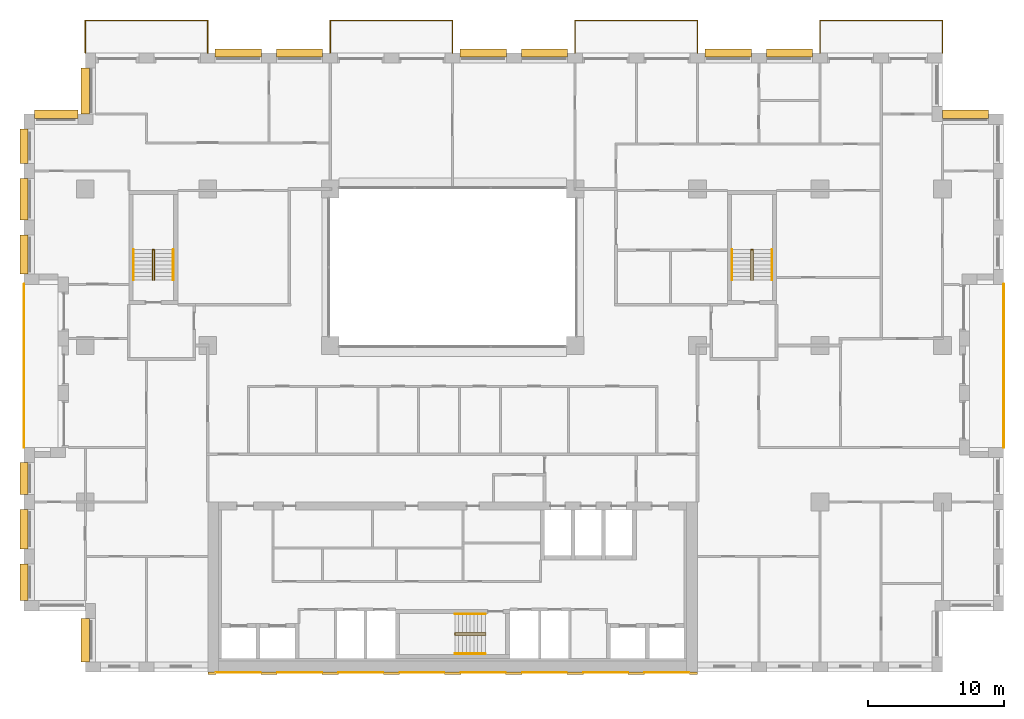
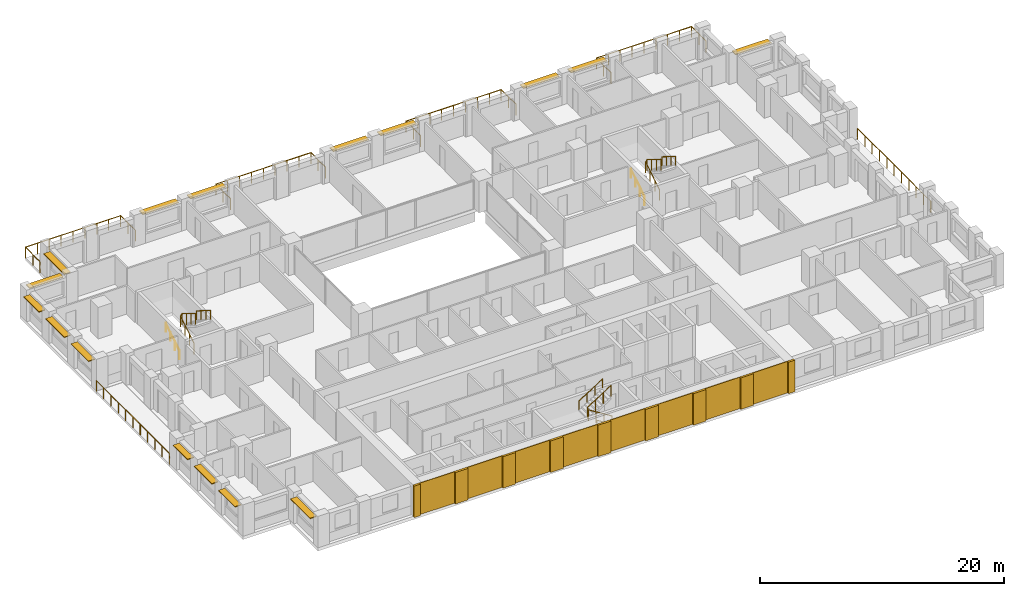
# One storey, part 16 of 16: 17 coverings, 16 shading devices, 15 railings.
"""IFC4 building model written with IfcOpenShell, lengths in metres."""

from ifc_helpers import new_model, si_unit, direction, frame, origin, origin_2d, place, context, subcontext, project, spatial, rectangle, circle, extrude, material, layer, layer_set, type_object, element, save


model = new_model("IFC4")

# Units and contexts
model_context = context("Model", 3, precision=1e-05, world=origin(), true_north=direction((0.0, 1.0)))
body_context = subcontext(model_context, "Body", "Model", "MODEL_VIEW")
ifc_project = project(units=[si_unit("LENGTHUNIT", "METRE"), si_unit("AREAUNIT", "SQUARE_METRE"), si_unit("VOLUMEUNIT", "CUBIC_METRE"), si_unit("PLANEANGLEUNIT", "RADIAN"), si_unit("MASSUNIT", "GRAM", prefix="KILO")], contexts=[model_context])

# Site, building, storey
site_placement = place(None, origin())
site = spatial("IfcSite", under=ifc_project, at=site_placement, CompositionType="ELEMENT")
building_placement = place(site_placement, origin())
building = spatial("IfcBuilding", under=site, at=building_placement, Name="Brigalow Station Residences", CompositionType="ELEMENT")
storey_placement = place(building_placement, frame((0.0, 0.0, 105.60009765625)))
storey = spatial("IfcBuildingStorey", under=building, at=storey_placement, Name="L30", CompositionType="ELEMENT", Elevation=105.60009765625)

# Railings
ifc_material_1 = material(Name="Stainless steel balustrade with laminated glass infill", Category="steel")
railing_type_1 = type_object("IfcRailingType", Name="BALCONY GUARD 1100", PredefinedType="GUARDRAIL", material=ifc_material_1)
railing_1_placement = place(storey_placement, frame((76.5, 16.5, -0.0400390625)))
element("IfcRailing", 1, at=railing_1_placement, inside=storey, type_object=railing_type_1, Name="L30/balcony-guard/1", PredefinedType="GUARDRAIL", context=body_context, shape_type="SweptSolid", body=[
    extrude(circle(Radius=0.02392578125, at=origin_2d()), frame((0.0, 0.0, 1.076171875), z_axis=(0.0, 1.0, 0.0), x_axis=(-1.0, 0.0, 0.0)), (0.0, 0.0, 1.0), 12.0),
    extrude(circle(Radius=0.02099609375, at=origin_2d()), origin(), (0.0, 0.0, 1.0), 1.052001953125),
    extrude(circle(Radius=0.02099609375, at=origin_2d()), frame((0.0, 1.199951171875, 0.0)), (0.0, 0.0, 1.0), 1.052001953125),
    extrude(circle(Radius=0.02099609375, at=origin_2d()), frame((0.0, 2.39990234375, 0.0)), (0.0, 0.0, 1.0), 1.052001953125),
    extrude(circle(Radius=0.02099609375, at=origin_2d()), frame((0.0, 3.60009765625, 0.0)), (0.0, 0.0, 1.0), 1.052001953125),
    extrude(circle(Radius=0.02099609375, at=origin_2d()), frame((0.0, 4.800048828125, 0.0)), (0.0, 0.0, 1.0), 1.052001953125),
    extrude(circle(Radius=0.02099609375, at=origin_2d()), frame((0.0, 6.0, 0.0)), (0.0, 0.0, 1.0), 1.052001953125),
    extrude(circle(Radius=0.02099609375, at=origin_2d()), frame((0.0, 7.199951171875, 0.0)), (0.0, 0.0, 1.0), 1.052001953125),
    extrude(circle(Radius=0.02099609375, at=origin_2d()), frame((0.0, 8.39990234375, 0.0)), (0.0, 0.0, 1.0), 1.052001953125),
    extrude(circle(Radius=0.02099609375, at=origin_2d()), frame((0.0, 9.60009765625, 0.0)), (0.0, 0.0, 1.0), 1.052001953125),
    extrude(circle(Radius=0.02099609375, at=origin_2d()), frame((0.0, 10.800048828125, 0.0)), (0.0, 0.0, 1.0), 1.052001953125),
    extrude(circle(Radius=0.02099609375, at=origin_2d()), frame((0.0, 12.0, 0.0)), (0.0, 0.0, 1.0), 1.052001953125),
])
railing_2_placement = place(storey_placement, frame((72.0, 45.5, -0.0400390625)))
element("IfcRailing", 2, at=railing_2_placement, inside=storey, type_object=railing_type_1, Name="L30/balcony-guard/2", PredefinedType="GUARDRAIL", context=body_context, shape_type="SweptSolid", body=[
    extrude(circle(Radius=0.02392578125, at=origin_2d()), frame((0.0, 0.0, 1.076171875), z_axis=(0.0, 1.0, 0.0), x_axis=(-1.0, 0.0, 0.0)), (0.0, 0.0, 1.0), 2.39990234375),
    extrude(circle(Radius=0.02392578125, at=origin_2d()), frame((0.0, 2.39990234375, 1.076171875), z_axis=(-1.0, 0.0, 0.0), x_axis=(0.0, -1.0, 0.0)), (0.0, 0.0, 1.0), 9.0),
    extrude(circle(Radius=0.02392578125, at=origin_2d()), frame((-9.0, 2.39990234375, 1.076171875), z_axis=(0.0, -1.0, 0.0), x_axis=(1.0, 0.0, 0.0)), (0.0, 0.0, 1.0), 2.39990234375),
    extrude(circle(Radius=0.02099609375, at=origin_2d()), origin(), (0.0, 0.0, 1.0), 1.052001953125),
    extrude(circle(Radius=0.02099609375, at=origin_2d()), frame((0.0, 1.199951171875, 0.0)), (0.0, 0.0, 1.0), 1.052001953125),
    extrude(circle(Radius=0.02099609375, at=origin_2d()), frame((0.0, 2.39990234375, 0.0)), (0.0, 0.0, 1.0), 1.052001953125),
    extrude(circle(Radius=0.02099609375, at=origin_2d()), frame((-1.125, 2.39990234375, 0.0)), (0.0, 0.0, 1.0), 1.052001953125),
    extrude(circle(Radius=0.02099609375, at=origin_2d()), frame((-2.25, 2.39990234375, 0.0)), (0.0, 0.0, 1.0), 1.052001953125),
    extrude(circle(Radius=0.02099609375, at=origin_2d()), frame((-3.375, 2.39990234375, 0.0)), (0.0, 0.0, 1.0), 1.052001953125),
    extrude(circle(Radius=0.02099609375, at=origin_2d()), frame((-4.5, 2.39990234375, 0.0)), (0.0, 0.0, 1.0), 1.052001953125),
    extrude(circle(Radius=0.02099609375, at=origin_2d()), frame((-5.625, 2.39990234375, 0.0)), (0.0, 0.0, 1.0), 1.052001953125),
    extrude(circle(Radius=0.02099609375, at=origin_2d()), frame((-6.75, 2.39990234375, 0.0)), (0.0, 0.0, 1.0), 1.052001953125),
    extrude(circle(Radius=0.02099609375, at=origin_2d()), frame((-7.875, 2.39990234375, 0.0)), (0.0, 0.0, 1.0), 1.052001953125),
    extrude(circle(Radius=0.02099609375, at=origin_2d()), frame((-9.0, 2.39990234375, 0.0)), (0.0, 0.0, 1.0), 1.052001953125),
    extrude(circle(Radius=0.02099609375, at=origin_2d()), frame((-9.0, 1.199951171875, 0.0)), (0.0, 0.0, 1.0), 1.052001953125),
    extrude(circle(Radius=0.02099609375, at=origin_2d()), frame((-9.0, 0.0, 0.0)), (0.0, 0.0, 1.0), 1.052001953125),
])
railing_3_placement = place(storey_placement, frame((54.0, 45.5, -0.0400390625)))
element("IfcRailing", 3, at=railing_3_placement, inside=storey, type_object=railing_type_1, Name="L30/balcony-guard/3", PredefinedType="GUARDRAIL", context=body_context, shape_type="SweptSolid", body=[
    extrude(circle(Radius=0.02392578125, at=origin_2d()), frame((0.0, 0.0, 1.076171875), z_axis=(0.0, 1.0, 0.0), x_axis=(-1.0, 0.0, 0.0)), (0.0, 0.0, 1.0), 2.39990234375),
    extrude(circle(Radius=0.02392578125, at=origin_2d()), frame((0.0, 2.39990234375, 1.076171875), z_axis=(-1.0, 0.0, 0.0), x_axis=(0.0, -1.0, 0.0)), (0.0, 0.0, 1.0), 9.0),
    extrude(circle(Radius=0.02392578125, at=origin_2d()), frame((-9.0, 2.39990234375, 1.076171875), z_axis=(0.0, -1.0, 0.0), x_axis=(1.0, 0.0, 0.0)), (0.0, 0.0, 1.0), 2.39990234375),
    extrude(circle(Radius=0.02099609375, at=origin_2d()), origin(), (0.0, 0.0, 1.0), 1.052001953125),
    extrude(circle(Radius=0.02099609375, at=origin_2d()), frame((0.0, 1.199951171875, 0.0)), (0.0, 0.0, 1.0), 1.052001953125),
    extrude(circle(Radius=0.02099609375, at=origin_2d()), frame((0.0, 2.39990234375, 0.0)), (0.0, 0.0, 1.0), 1.052001953125),
    extrude(circle(Radius=0.02099609375, at=origin_2d()), frame((-1.125, 2.39990234375, 0.0)), (0.0, 0.0, 1.0), 1.052001953125),
    extrude(circle(Radius=0.02099609375, at=origin_2d()), frame((-2.25, 2.39990234375, 0.0)), (0.0, 0.0, 1.0), 1.052001953125),
    extrude(circle(Radius=0.02099609375, at=origin_2d()), frame((-3.375, 2.39990234375, 0.0)), (0.0, 0.0, 1.0), 1.052001953125),
    extrude(circle(Radius=0.02099609375, at=origin_2d()), frame((-4.5, 2.39990234375, 0.0)), (0.0, 0.0, 1.0), 1.052001953125),
    extrude(circle(Radius=0.02099609375, at=origin_2d()), frame((-5.625, 2.39990234375, 0.0)), (0.0, 0.0, 1.0), 1.052001953125),
    extrude(circle(Radius=0.02099609375, at=origin_2d()), frame((-6.75, 2.39990234375, 0.0)), (0.0, 0.0, 1.0), 1.052001953125),
    extrude(circle(Radius=0.02099609375, at=origin_2d()), frame((-7.875, 2.39990234375, 0.0)), (0.0, 0.0, 1.0), 1.052001953125),
    extrude(circle(Radius=0.02099609375, at=origin_2d()), frame((-9.0, 2.39990234375, 0.0)), (0.0, 0.0, 1.0), 1.052001953125),
    extrude(circle(Radius=0.02099609375, at=origin_2d()), frame((-9.0, 1.199951171875, 0.0)), (0.0, 0.0, 1.0), 1.052001953125),
    extrude(circle(Radius=0.02099609375, at=origin_2d()), frame((-9.0, 0.0, 0.0)), (0.0, 0.0, 1.0), 1.052001953125),
])
railing_4_placement = place(storey_placement, frame((36.0, 45.5, -0.0400390625)))
element("IfcRailing", 4, at=railing_4_placement, inside=storey, type_object=railing_type_1, Name="L30/balcony-guard/4", PredefinedType="GUARDRAIL", context=body_context, shape_type="SweptSolid", body=[
    extrude(circle(Radius=0.02392578125, at=origin_2d()), frame((0.0, 0.0, 1.076171875), z_axis=(0.0, 1.0, 0.0), x_axis=(-1.0, 0.0, 0.0)), (0.0, 0.0, 1.0), 2.39990234375),
    extrude(circle(Radius=0.02392578125, at=origin_2d()), frame((0.0, 2.39990234375, 1.076171875), z_axis=(-1.0, 0.0, 0.0), x_axis=(0.0, -1.0, 0.0)), (0.0, 0.0, 1.0), 9.0),
    extrude(circle(Radius=0.02392578125, at=origin_2d()), frame((-9.0, 2.39990234375, 1.076171875), z_axis=(0.0, -1.0, 0.0), x_axis=(1.0, 0.0, 0.0)), (0.0, 0.0, 1.0), 2.39990234375),
    extrude(circle(Radius=0.02099609375, at=origin_2d()), origin(), (0.0, 0.0, 1.0), 1.052001953125),
    extrude(circle(Radius=0.02099609375, at=origin_2d()), frame((0.0, 1.199951171875, 0.0)), (0.0, 0.0, 1.0), 1.052001953125),
    extrude(circle(Radius=0.02099609375, at=origin_2d()), frame((0.0, 2.39990234375, 0.0)), (0.0, 0.0, 1.0), 1.052001953125),
    extrude(circle(Radius=0.02099609375, at=origin_2d()), frame((-1.125, 2.39990234375, 0.0)), (0.0, 0.0, 1.0), 1.052001953125),
    extrude(circle(Radius=0.02099609375, at=origin_2d()), frame((-2.25, 2.39990234375, 0.0)), (0.0, 0.0, 1.0), 1.052001953125),
    extrude(circle(Radius=0.02099609375, at=origin_2d()), frame((-3.375, 2.39990234375, 0.0)), (0.0, 0.0, 1.0), 1.052001953125),
    extrude(circle(Radius=0.02099609375, at=origin_2d()), frame((-4.5, 2.39990234375, 0.0)), (0.0, 0.0, 1.0), 1.052001953125),
    extrude(circle(Radius=0.02099609375, at=origin_2d()), frame((-5.625, 2.39990234375, 0.0)), (0.0, 0.0, 1.0), 1.052001953125),
    extrude(circle(Radius=0.02099609375, at=origin_2d()), frame((-6.75, 2.39990234375, 0.0)), (0.0, 0.0, 1.0), 1.052001953125),
    extrude(circle(Radius=0.02099609375, at=origin_2d()), frame((-7.875, 2.39990234375, 0.0)), (0.0, 0.0, 1.0), 1.052001953125),
    extrude(circle(Radius=0.02099609375, at=origin_2d()), frame((-9.0, 2.39990234375, 0.0)), (0.0, 0.0, 1.0), 1.052001953125),
    extrude(circle(Radius=0.02099609375, at=origin_2d()), frame((-9.0, 1.199951171875, 0.0)), (0.0, 0.0, 1.0), 1.052001953125),
    extrude(circle(Radius=0.02099609375, at=origin_2d()), frame((-9.0, 0.0, 0.0)), (0.0, 0.0, 1.0), 1.052001953125),
])
railing_5_placement = place(storey_placement, frame((18.0, 45.5, -0.0400390625)))
element("IfcRailing", 5, at=railing_5_placement, inside=storey, type_object=railing_type_1, Name="L30/balcony-guard/5", PredefinedType="GUARDRAIL", context=body_context, shape_type="SweptSolid", body=[
    extrude(circle(Radius=0.02392578125, at=origin_2d()), frame((0.0, 0.0, 1.076171875), z_axis=(0.0, 1.0, 0.0), x_axis=(-1.0, 0.0, 0.0)), (0.0, 0.0, 1.0), 2.39990234375),
    extrude(circle(Radius=0.02392578125, at=origin_2d()), frame((0.0, 2.39990234375, 1.076171875), z_axis=(-1.0, 0.0, 0.0), x_axis=(0.0, -1.0, 0.0)), (0.0, 0.0, 1.0), 9.0),
    extrude(circle(Radius=0.02392578125, at=origin_2d()), frame((-9.0, 2.39990234375, 1.076171875), z_axis=(0.0, -1.0, 0.0), x_axis=(1.0, 0.0, 0.0)), (0.0, 0.0, 1.0), 2.39990234375),
    extrude(circle(Radius=0.02099609375, at=origin_2d()), origin(), (0.0, 0.0, 1.0), 1.052001953125),
    extrude(circle(Radius=0.02099609375, at=origin_2d()), frame((0.0, 1.199951171875, 0.0)), (0.0, 0.0, 1.0), 1.052001953125),
    extrude(circle(Radius=0.02099609375, at=origin_2d()), frame((0.0, 2.39990234375, 0.0)), (0.0, 0.0, 1.0), 1.052001953125),
    extrude(circle(Radius=0.02099609375, at=origin_2d()), frame((-1.125, 2.39990234375, 0.0)), (0.0, 0.0, 1.0), 1.052001953125),
    extrude(circle(Radius=0.02099609375, at=origin_2d()), frame((-2.25, 2.39990234375, 0.0)), (0.0, 0.0, 1.0), 1.052001953125),
    extrude(circle(Radius=0.02099609375, at=origin_2d()), frame((-3.375, 2.39990234375, 0.0)), (0.0, 0.0, 1.0), 1.052001953125),
    extrude(circle(Radius=0.02099609375, at=origin_2d()), frame((-4.5, 2.39990234375, 0.0)), (0.0, 0.0, 1.0), 1.052001953125),
    extrude(circle(Radius=0.02099609375, at=origin_2d()), frame((-5.625, 2.39990234375, 0.0)), (0.0, 0.0, 1.0), 1.052001953125),
    extrude(circle(Radius=0.02099609375, at=origin_2d()), frame((-6.75, 2.39990234375, 0.0)), (0.0, 0.0, 1.0), 1.052001953125),
    extrude(circle(Radius=0.02099609375, at=origin_2d()), frame((-7.875, 2.39990234375, 0.0)), (0.0, 0.0, 1.0), 1.052001953125),
    extrude(circle(Radius=0.02099609375, at=origin_2d()), frame((-9.0, 2.39990234375, 0.0)), (0.0, 0.0, 1.0), 1.052001953125),
    extrude(circle(Radius=0.02099609375, at=origin_2d()), frame((-9.0, 1.199951171875, 0.0)), (0.0, 0.0, 1.0), 1.052001953125),
    extrude(circle(Radius=0.02099609375, at=origin_2d()), frame((-9.0, 0.0, 0.0)), (0.0, 0.0, 1.0), 1.052001953125),
])
railing_6_placement = place(storey_placement, frame((4.5, 28.5, -0.0400390625)))
element("IfcRailing", 6, at=railing_6_placement, inside=storey, type_object=railing_type_1, Name="L30/balcony-guard/6", PredefinedType="GUARDRAIL", context=body_context, shape_type="SweptSolid", body=[
    extrude(circle(Radius=0.02392578125, at=origin_2d()), frame((0.0, 0.0, 1.076171875), z_axis=(0.0, -1.0, 0.0), x_axis=(1.0, 0.0, 0.0)), (0.0, 0.0, 1.0), 12.0),
    extrude(circle(Radius=0.02099609375, at=origin_2d()), origin(), (0.0, 0.0, 1.0), 1.052001953125),
    extrude(circle(Radius=0.02099609375, at=origin_2d()), frame((0.0, -1.199951171875, 0.0)), (0.0, 0.0, 1.0), 1.052001953125),
    extrude(circle(Radius=0.02099609375, at=origin_2d()), frame((0.0, -2.39990234375, 0.0)), (0.0, 0.0, 1.0), 1.052001953125),
    extrude(circle(Radius=0.02099609375, at=origin_2d()), frame((0.0, -3.60009765625, 0.0)), (0.0, 0.0, 1.0), 1.052001953125),
    extrude(circle(Radius=0.02099609375, at=origin_2d()), frame((0.0, -4.800048828125, 0.0)), (0.0, 0.0, 1.0), 1.052001953125),
    extrude(circle(Radius=0.02099609375, at=origin_2d()), frame((0.0, -6.0, 0.0)), (0.0, 0.0, 1.0), 1.052001953125),
    extrude(circle(Radius=0.02099609375, at=origin_2d()), frame((0.0, -7.199951171875, 0.0)), (0.0, 0.0, 1.0), 1.052001953125),
    extrude(circle(Radius=0.02099609375, at=origin_2d()), frame((0.0, -8.39990234375, 0.0)), (0.0, 0.0, 1.0), 1.052001953125),
    extrude(circle(Radius=0.02099609375, at=origin_2d()), frame((0.0, -9.60009765625, 0.0)), (0.0, 0.0, 1.0), 1.052001953125),
    extrude(circle(Radius=0.02099609375, at=origin_2d()), frame((0.0, -10.800048828125, 0.0)), (0.0, 0.0, 1.0), 1.052001953125),
    extrude(circle(Radius=0.02099609375, at=origin_2d()), frame((0.0, -12.0, 0.0)), (0.0, 0.0, 1.0), 1.052001953125),
])

# Coverings
ifc_material_2 = material(Name="Clay brick masonry", Category="masonry")
ifc_layer_1 = layer(ifc_material_2, 0.06005859375)
ifc_layer_set_1 = layer_set([ifc_layer_1], Name="BRICK PANEL FACING 60")
covering_type_1 = type_object("IfcCoveringType", Name="BRICK PANEL FACING 60", PredefinedType="CLADDING", material=ifc_layer_set_1)
for number, where, z_axis, x_axis, name in (
    (7, (20.25, -0.030029296875, 0.0), (0.0, 0.0, 1.0), (1.0, 0.0, 0.0), "L30/rear-facing/panel-1"),
    (8, (24.75, -0.030029296875, 0.0), (0.0, 0.0, 1.0), (1.0, 0.0, 0.0), "L30/rear-facing/panel-2"),
    (9, (29.25, -0.030029296875, 0.0), (0.0, 0.0, 1.0), (1.0, 0.0, 0.0), "L30/rear-facing/panel-3"),
    (10, (33.75, -0.030029296875, 0.0), (0.0, 0.0, 1.0), (1.0, 0.0, 0.0), "L30/rear-facing/panel-4"),
    (11, (38.25, -0.030029296875, 0.0), (0.0, 0.0, 1.0), (1.0, 0.0, 0.0), "L30/rear-facing/panel-5"),
    (12, (42.75, -0.030029296875, 0.0), (0.0, 0.0, 1.0), (1.0, 0.0, 0.0), "L30/rear-facing/panel-6"),
    (13, (47.25, -0.030029296875, 0.0), (0.0, 0.0, 1.0), (1.0, 0.0, 0.0), "L30/rear-facing/panel-7"),
    (14, (51.75, -0.030029296875, 0.0), (0.0, 0.0, 1.0), (1.0, 0.0, 0.0), "L30/rear-facing/panel-8"),
):
    element("IfcCovering", number, at=place(storey_placement, frame(where, z_axis=z_axis, x_axis=x_axis)), inside=storey, type_object=covering_type_1, Name=name, PredefinedType="CLADDING", context=body_context, shape_type="SweptSolid", body=[
        extrude(rectangle(XDim=3.300048828125, YDim=0.06005859375, at=origin_2d()), origin(), (0.0, 0.0, 1.0), 3.14990234375),
    ])
ifc_material_3 = material(Name="Clay brick masonry", Category="masonry")
ifc_layer_2 = layer(ifc_material_3, 0.199951171875)
ifc_layer_set_2 = layer_set([ifc_layer_2], Name="BRICK PIER FACING 200")
covering_type_2 = type_object("IfcCoveringType", Name="BRICK PIER FACING 200", PredefinedType="CLADDING", material=ifc_layer_set_2)
covering_1_placement = place(storey_placement, frame((18.300048828125, -0.10009765625, 0.0), z_axis=(0.0, 0.0, 1.0), x_axis=(1.0, 0.0, 0.0)))
element("IfcCovering", 15, at=covering_1_placement, inside=storey, type_object=covering_type_2, Name="L30/rear-facing/pier-1", PredefinedType="CLADDING", context=body_context, shape_type="SweptSolid", body=[
    extrude(rectangle(XDim=0.60009765625, YDim=0.199951171875, at=origin_2d()), origin(), (0.0, 0.0, 1.0), 3.14990234375),
])
for number, where, z_axis, x_axis, name in (
    (16, (22.5, -0.10009765625, 0.0), (0.0, 0.0, 1.0), (1.0, 0.0, 0.0), "L30/rear-facing/pier-2"),
    (17, (27.0, -0.10009765625, 0.0), (0.0, 0.0, 1.0), (1.0, 0.0, 0.0), "L30/rear-facing/pier-3"),
    (18, (31.5, -0.10009765625, 0.0), (0.0, 0.0, 1.0), (1.0, 0.0, 0.0), "L30/rear-facing/pier-4"),
    (19, (36.0, -0.10009765625, 0.0), (0.0, 0.0, 1.0), (1.0, 0.0, 0.0), "L30/rear-facing/pier-5"),
    (20, (40.5, -0.10009765625, 0.0), (0.0, 0.0, 1.0), (1.0, 0.0, 0.0), "L30/rear-facing/pier-6"),
    (21, (45.0, -0.10009765625, 0.0), (0.0, 0.0, 1.0), (1.0, 0.0, 0.0), "L30/rear-facing/pier-7"),
    (22, (49.5, -0.10009765625, 0.0), (0.0, 0.0, 1.0), (1.0, 0.0, 0.0), "L30/rear-facing/pier-8"),
):
    element("IfcCovering", number, at=place(storey_placement, frame(where, z_axis=z_axis, x_axis=x_axis)), inside=storey, type_object=covering_type_2, Name=name, PredefinedType="CLADDING", context=body_context, shape_type="SweptSolid", body=[
        extrude(rectangle(XDim=1.199951171875, YDim=0.199951171875, at=origin_2d()), origin(), (0.0, 0.0, 1.0), 3.14990234375),
    ])
covering_2_placement = place(storey_placement, frame((53.699951171875, -0.10009765625, 0.0), z_axis=(0.0, 0.0, 1.0), x_axis=(1.0, 0.0, 0.0)))
element("IfcCovering", 23, at=covering_2_placement, inside=storey, type_object=covering_type_2, Name="L30/rear-facing/pier-9", PredefinedType="CLADDING", context=body_context, shape_type="SweptSolid", body=[
    extrude(rectangle(XDim=0.60009765625, YDim=0.199951171875, at=origin_2d()), origin(), (0.0, 0.0, 1.0), 3.14990234375),
])

# Railings
ifc_material_4 = material(Name="Stainless steel balustrade", Category="steel")
railing_type_2 = type_object("IfcRailingType", Name="STAIR GUARD 1100", PredefinedType="GUARDRAIL", material=ifc_material_4)
railing_7_placement = place(storey_placement, frame((38.39990234375, 2.72998046875, 0.1748046875)))
element("IfcRailing", 24, at=railing_7_placement, inside=storey, type_object=railing_type_2, Name="GUARD GR-2", PredefinedType="GUARDRAIL", context=body_context, shape_type="SweptSolid", body=[
    extrude(circle(Radius=0.02392578125, at=origin_2d()), frame((0.0, 0.0, 1.076171875), z_axis=(-0.847972341737, 0.0, 0.530040477369), x_axis=(0.0, -1.0, 0.0)), (0.0, 0.0, 1.0), 2.6416015625),
    extrude(circle(Radius=0.02392578125, at=origin_2d()), frame((-2.239990234375, 0.0, 2.47607421875), z_axis=(0.0, 0.624960567888, 0.780656319122), x_axis=(-1.0, 0.0, 0.0)), (0.0, 0.0, 1.0), 0.22412109375),
    extrude(circle(Radius=0.02392578125, at=origin_2d()), frame((-2.239990234375, 0.14013671875, 2.6513671875), z_axis=(0.848013881152, 0.0, 0.529974015752), x_axis=(0.0, 1.0, 0.0)), (0.0, 0.0, 1.0), 2.641357421875),
    extrude(circle(Radius=0.02099609375, at=origin_2d()), origin(), (0.0, 0.0, 1.0), 1.052001953125),
    extrude(circle(Radius=0.02099609375, at=origin_2d()), frame((-0.74658203125, 0.0, 0.466796875)), (0.0, 0.0, 1.0), 1.052001953125),
    extrude(circle(Radius=0.02099609375, at=origin_2d()), frame((-1.493408203125, 0.0, 0.933349609375)), (0.0, 0.0, 1.0), 1.052001953125),
    extrude(circle(Radius=0.02099609375, at=origin_2d()), frame((-2.239990234375, 0.0, 1.400146484375)), (0.0, 0.0, 1.0), 1.052001953125),
    extrude(circle(Radius=0.02099609375, at=origin_2d()), frame((-2.239990234375, 0.14013671875, 1.5751953125)), (0.0, 0.0, 1.0), 1.052001953125),
    extrude(circle(Radius=0.02099609375, at=origin_2d()), frame((-1.493408203125, 0.14013671875, 2.041748046875)), (0.0, 0.0, 1.0), 1.052001953125),
    extrude(circle(Radius=0.02099609375, at=origin_2d()), frame((-0.74658203125, 0.14013671875, 2.508544921875)), (0.0, 0.0, 1.0), 1.052001953125),
    extrude(circle(Radius=0.02099609375, at=origin_2d()), frame((0.0, 0.14013671875, 2.97509765625)), (0.0, 0.0, 1.0), 1.052001953125),
])
for number, where, name in (
    (25, (13.929931640625, 28.800048828125, 0.1748046875), "GUARD GR-1"),
    (26, (57.929931640625, 28.800048828125, 0.1748046875), "GUARD GR-3"),
):
    element("IfcRailing", number, at=place(storey_placement, frame(where)), inside=storey, type_object=railing_type_2, Name=name, PredefinedType="GUARDRAIL", context=body_context, shape_type="SweptSolid", body=[
        extrude(circle(Radius=0.02392578125, at=origin_2d()), frame((0.0, 0.0, 1.076171875), z_axis=(0.0, 0.847972341737, 0.530040477369), x_axis=(-1.0, 0.0, 0.0)), (0.0, 0.0, 1.0), 2.6416015625),
        extrude(circle(Radius=0.02392578125, at=origin_2d()), frame((0.0, 2.239990234375, 2.47607421875), z_axis=(0.624960567888, 0.0, 0.780656319122), x_axis=(0.0, 1.0, 0.0)), (0.0, 0.0, 1.0), 0.22412109375),
        extrude(circle(Radius=0.02392578125, at=origin_2d()), frame((0.14013671875, 2.239990234375, 2.6513671875), z_axis=(0.0, -0.848013881152, 0.529974015752), x_axis=(1.0, 0.0, 0.0)), (0.0, 0.0, 1.0), 2.641357421875),
        extrude(circle(Radius=0.02099609375, at=origin_2d()), origin(), (0.0, 0.0, 1.0), 1.052001953125),
        extrude(circle(Radius=0.02099609375, at=origin_2d()), frame((0.0, 0.74658203125, 0.466796875)), (0.0, 0.0, 1.0), 1.052001953125),
        extrude(circle(Radius=0.02099609375, at=origin_2d()), frame((0.0, 1.493408203125, 0.933349609375)), (0.0, 0.0, 1.0), 1.052001953125),
        extrude(circle(Radius=0.02099609375, at=origin_2d()), frame((0.0, 2.239990234375, 1.400146484375)), (0.0, 0.0, 1.0), 1.052001953125),
        extrude(circle(Radius=0.02099609375, at=origin_2d()), frame((0.14013671875, 2.239990234375, 1.5751953125)), (0.0, 0.0, 1.0), 1.052001953125),
        extrude(circle(Radius=0.02099609375, at=origin_2d()), frame((0.14013671875, 1.493408203125, 2.041748046875)), (0.0, 0.0, 1.0), 1.052001953125),
        extrude(circle(Radius=0.02099609375, at=origin_2d()), frame((0.14013671875, 0.74658203125, 2.508544921875)), (0.0, 0.0, 1.0), 1.052001953125),
        extrude(circle(Radius=0.02099609375, at=origin_2d()), frame((0.14013671875, 0.0, 2.97509765625)), (0.0, 0.0, 1.0), 1.052001953125),
    ])
ifc_material_5 = material(Name="Stainless steel handrail", Category="steel")
railing_type_3 = type_object("IfcRailingType", Name="STAIR HANDRAIL 900", PredefinedType="HANDRAIL", material=ifc_material_5)
railing_8_placement = place(storey_placement, frame((38.39990234375, 1.340087890625, 0.1748046875)))
element("IfcRailing", 27, at=railing_8_placement, inside=storey, type_object=railing_type_3, Name="HANDRAIL HR-21", PredefinedType="HANDRAIL", context=body_context, shape_type="SweptSolid", body=[
    extrude(circle(Radius=0.02392578125, at=origin_2d()), frame((0.0, 0.0, 0.8759765625), z_axis=(-0.847972341737, 0.0, 0.530040477369), x_axis=(0.0, -1.0, 0.0)), (0.0, 0.0, 1.0), 2.6416015625),
    extrude(circle(Radius=0.02099609375, at=origin_2d()), origin(), (0.0, 0.0, 1.0), 0.851806640625),
    extrude(circle(Radius=0.02099609375, at=origin_2d()), frame((-0.74658203125, 0.0, 0.466796875)), (0.0, 0.0, 1.0), 0.851806640625),
    extrude(circle(Radius=0.02099609375, at=origin_2d()), frame((-1.493408203125, 0.0, 0.933349609375)), (0.0, 0.0, 1.0), 0.851806640625),
    extrude(circle(Radius=0.02099609375, at=origin_2d()), frame((-2.239990234375, 0.0, 1.400146484375)), (0.0, 0.0, 1.0), 0.851806640625),
])
railing_9_placement = place(storey_placement, frame((36.159912109375, 4.260009765625, 1.75)))
element("IfcRailing", 28, at=railing_9_placement, inside=storey, type_object=railing_type_3, Name="HANDRAIL HR-22", PredefinedType="HANDRAIL", context=body_context, shape_type="SweptSolid", body=[
    extrude(circle(Radius=0.02392578125, at=origin_2d()), frame((0.0, 0.0, 0.8759765625), z_axis=(0.848013881152, 0.0, 0.529974015752), x_axis=(0.0, 1.0, 0.0)), (0.0, 0.0, 1.0), 2.641357421875),
    extrude(circle(Radius=0.02099609375, at=origin_2d()), origin(), (0.0, 0.0, 1.0), 0.851806640625),
    extrude(circle(Radius=0.02099609375, at=origin_2d()), frame((0.74658203125, 0.0, 0.466552734375)), (0.0, 0.0, 1.0), 0.851806640625),
    extrude(circle(Radius=0.02099609375, at=origin_2d()), frame((1.493408203125, 0.0, 0.933349609375)), (0.0, 0.0, 1.0), 0.851806640625),
    extrude(circle(Radius=0.02099609375, at=origin_2d()), frame((2.239990234375, 0.0, 1.39990234375)), (0.0, 0.0, 1.0), 0.851806640625),
])
railing_10_placement = place(storey_placement, frame((12.5400390625, 28.800048828125, 0.1748046875)))
element("IfcRailing", 29, at=railing_10_placement, inside=storey, type_object=railing_type_3, Name="HANDRAIL HR-11", PredefinedType="HANDRAIL", context=body_context, shape_type="SweptSolid", body=[
    extrude(circle(Radius=0.02392578125, at=origin_2d()), frame((0.0, 0.0, 0.8759765625), z_axis=(0.0, 0.847972341737, 0.530040477369), x_axis=(-1.0, 0.0, 0.0)), (0.0, 0.0, 1.0), 2.6416015625),
    extrude(circle(Radius=0.02099609375, at=origin_2d()), origin(), (0.0, 0.0, 1.0), 0.851806640625),
    extrude(circle(Radius=0.02099609375, at=origin_2d()), frame((0.0, 0.74658203125, 0.466796875)), (0.0, 0.0, 1.0), 0.851806640625),
    extrude(circle(Radius=0.02099609375, at=origin_2d()), frame((0.0, 1.493408203125, 0.933349609375)), (0.0, 0.0, 1.0), 0.851806640625),
    extrude(circle(Radius=0.02099609375, at=origin_2d()), frame((0.0, 2.239990234375, 1.400146484375)), (0.0, 0.0, 1.0), 0.851806640625),
])
railing_11_placement = place(storey_placement, frame((15.4599609375, 31.0400390625, 1.75)))
element("IfcRailing", 30, at=railing_11_placement, inside=storey, type_object=railing_type_3, Name="HANDRAIL HR-12", PredefinedType="HANDRAIL", context=body_context, shape_type="SweptSolid", body=[
    extrude(circle(Radius=0.02392578125, at=origin_2d()), frame((0.0, 0.0, 0.8759765625), z_axis=(0.0, -0.848013881152, 0.529974015752), x_axis=(1.0, 0.0, 0.0)), (0.0, 0.0, 1.0), 2.641357421875),
    extrude(circle(Radius=0.02099609375, at=origin_2d()), origin(), (0.0, 0.0, 1.0), 0.851806640625),
    extrude(circle(Radius=0.02099609375, at=origin_2d()), frame((0.0, -0.74658203125, 0.466552734375)), (0.0, 0.0, 1.0), 0.851806640625),
    extrude(circle(Radius=0.02099609375, at=origin_2d()), frame((0.0, -1.493408203125, 0.933349609375)), (0.0, 0.0, 1.0), 0.851806640625),
    extrude(circle(Radius=0.02099609375, at=origin_2d()), frame((0.0, -2.239990234375, 1.39990234375)), (0.0, 0.0, 1.0), 0.851806640625),
])
railing_12_placement = place(storey_placement, frame((56.5400390625, 28.800048828125, 0.1748046875)))
element("IfcRailing", 31, at=railing_12_placement, inside=storey, type_object=railing_type_3, Name="HANDRAIL HR-31", PredefinedType="HANDRAIL", context=body_context, shape_type="SweptSolid", body=[
    extrude(circle(Radius=0.02392578125, at=origin_2d()), frame((0.0, 0.0, 0.8759765625), z_axis=(0.0, 0.847972341737, 0.530040477369), x_axis=(-1.0, 0.0, 0.0)), (0.0, 0.0, 1.0), 2.6416015625),
    extrude(circle(Radius=0.02099609375, at=origin_2d()), origin(), (0.0, 0.0, 1.0), 0.851806640625),
    extrude(circle(Radius=0.02099609375, at=origin_2d()), frame((0.0, 0.74658203125, 0.466796875)), (0.0, 0.0, 1.0), 0.851806640625),
    extrude(circle(Radius=0.02099609375, at=origin_2d()), frame((0.0, 1.493408203125, 0.933349609375)), (0.0, 0.0, 1.0), 0.851806640625),
    extrude(circle(Radius=0.02099609375, at=origin_2d()), frame((0.0, 2.239990234375, 1.400146484375)), (0.0, 0.0, 1.0), 0.851806640625),
])
railing_13_placement = place(storey_placement, frame((59.4599609375, 31.0400390625, 1.75)))
element("IfcRailing", 32, at=railing_13_placement, inside=storey, type_object=railing_type_3, Name="HANDRAIL HR-32", PredefinedType="HANDRAIL", context=body_context, shape_type="SweptSolid", body=[
    extrude(circle(Radius=0.02392578125, at=origin_2d()), frame((0.0, 0.0, 0.8759765625), z_axis=(0.0, -0.848013881152, 0.529974015752), x_axis=(1.0, 0.0, 0.0)), (0.0, 0.0, 1.0), 2.641357421875),
    extrude(circle(Radius=0.02099609375, at=origin_2d()), origin(), (0.0, 0.0, 1.0), 0.851806640625),
    extrude(circle(Radius=0.02099609375, at=origin_2d()), frame((0.0, -0.74658203125, 0.466552734375)), (0.0, 0.0, 1.0), 0.851806640625),
    extrude(circle(Radius=0.02099609375, at=origin_2d()), frame((0.0, -1.493408203125, 0.933349609375)), (0.0, 0.0, 1.0), 0.851806640625),
    extrude(circle(Radius=0.02099609375, at=origin_2d()), frame((0.0, -2.239990234375, 1.39990234375)), (0.0, 0.0, 1.0), 0.851806640625),
])

# Shading devices
ifc_material_6 = material(Name="Powder-coated extruded aluminium blade", Category="aluminium")
ifc_layer_3 = layer(ifc_material_6, 0.080078125)
ifc_layer_set_3 = layer_set([ifc_layer_3], Name="SUNSHADE BLADE 600x80")
shading_device_type = type_object("IfcShadingDeviceType", Name="SUNSHADE BLADE 600x80", PredefinedType="JALOUSIE", material=ifc_layer_set_3)
for number, where, z_axis, x_axis, name in (
    (33, (73.699951171875, 41.0, 2.5498046875), (0.0, 0.0, 1.0), (-1.0, 0.0, 0.0), "L30/blade/W-L30-21"),
    (34, (60.75, 45.5, 2.5498046875), (0.0, 0.0, 1.0), (-1.0, 0.0, 0.0), "L30/blade/W-L30-25"),
    (35, (56.25, 45.5, 2.5498046875), (0.0, 0.0, 1.0), (-1.0, 0.0, 0.0), "L30/blade/W-L30-26"),
    (36, (42.75, 45.5, 2.5498046875), (0.0, 0.0, 1.0), (-1.0, 0.0, 0.0), "L30/blade/W-L30-29"),
    (37, (38.25, 45.5, 2.5498046875), (0.0, 0.0, 1.0), (-1.0, 0.0, 0.0), "L30/blade/W-L30-30"),
    (38, (24.75, 45.5, 2.5498046875), (0.0, 0.0, 1.0), (-1.0, 0.0, 0.0), "L30/blade/W-L30-33"),
    (39, (20.25, 45.5, 2.5498046875), (0.0, 0.0, 1.0), (-1.0, 0.0, 0.0), "L30/blade/W-L30-34"),
    (40, (9.0, 42.699951171875, 2.5498046875), (0.0, 0.0, 1.0), (0.0, -1.0, 0.0), "L30/blade/W-L30-37"),
):
    element("IfcShadingDevice", number, at=place(storey_placement, frame(where, z_axis=z_axis, x_axis=x_axis)), inside=storey, type_object=shading_device_type, Name=name, PredefinedType="JALOUSIE", context=body_context, shape_type="SweptSolid", body=[
        extrude(rectangle(XDim=3.39990234375, YDim=0.60009765625, at=origin_2d()), origin(), (0.0, 0.0, 1.0), 0.080078125),
    ])
shading_device_1_placement = place(storey_placement, frame((6.85009765625, 41.0, 2.5498046875), z_axis=(0.0, 0.0, 1.0), x_axis=(-1.0, 0.0, 0.0)))
element("IfcShadingDevice", 41, at=shading_device_1_placement, inside=storey, type_object=shading_device_type, Name="L30/blade/W-L30-38", PredefinedType="JALOUSIE", context=body_context, shape_type="SweptSolid", body=[
    extrude(rectangle(XDim=3.199951171875, YDim=0.60009765625, at=origin_2d()), origin(), (0.0, 0.0, 1.0), 0.080078125),
])
shading_device_2_placement = place(storey_placement, frame((4.5, 38.6416015625, 2.5498046875), z_axis=(0.0, 0.0, 1.0), x_axis=(0.0, -1.0, 0.0)))
element("IfcShadingDevice", 42, at=shading_device_2_placement, inside=storey, type_object=shading_device_type, Name="L30/blade/W-L30-39", PredefinedType="JALOUSIE", context=body_context, shape_type="SweptSolid", body=[
    extrude(rectangle(XDim=2.51708984375, YDim=0.60009765625, at=origin_2d()), origin(), (0.0, 0.0, 1.0), 0.080078125),
])
shading_device_3_placement = place(storey_placement, frame((4.5, 34.75, 2.5498046875), z_axis=(0.0, 0.0, 1.0), x_axis=(0.0, -1.0, 0.0)))
element("IfcShadingDevice", 43, at=shading_device_3_placement, inside=storey, type_object=shading_device_type, Name="L30/blade/W-L30-40", PredefinedType="JALOUSIE", context=body_context, shape_type="SweptSolid", body=[
    extrude(rectangle(XDim=3.06591796875, YDim=0.60009765625, at=origin_2d()), origin(), (0.0, 0.0, 1.0), 0.080078125),
])
shading_device_4_placement = place(storey_placement, frame((4.5, 30.68359375, 2.5498046875), z_axis=(0.0, 0.0, 1.0), x_axis=(0.0, -1.0, 0.0)))
element("IfcShadingDevice", 44, at=shading_device_4_placement, inside=storey, type_object=shading_device_type, Name="L30/blade/W-L30-41", PredefinedType="JALOUSIE", context=body_context, shape_type="SweptSolid", body=[
    extrude(rectangle(XDim=2.866943359375, YDim=0.60009765625, at=origin_2d()), origin(), (0.0, 0.0, 1.0), 0.080078125),
])
shading_device_5_placement = place(storey_placement, frame((4.5, 14.22509765625, 2.5498046875), z_axis=(0.0, 0.0, 1.0), x_axis=(0.0, -1.0, 0.0)))
element("IfcShadingDevice", 45, at=shading_device_5_placement, inside=storey, type_object=shading_device_type, Name="L30/blade/W-L30-47", PredefinedType="JALOUSIE", context=body_context, shape_type="SweptSolid", body=[
    extrude(rectangle(XDim=2.35009765625, YDim=0.60009765625, at=origin_2d()), origin(), (0.0, 0.0, 1.0), 0.080078125),
])
shading_device_6_placement = place(storey_placement, frame((4.5, 10.5, 2.5498046875), z_axis=(0.0, 0.0, 1.0), x_axis=(0.0, -1.0, 0.0)))
element("IfcShadingDevice", 46, at=shading_device_6_placement, inside=storey, type_object=shading_device_type, Name="L30/blade/W-L30-48", PredefinedType="JALOUSIE", context=body_context, shape_type="SweptSolid", body=[
    extrude(rectangle(XDim=2.89990234375, YDim=0.60009765625, at=origin_2d()), origin(), (0.0, 0.0, 1.0), 0.080078125),
])
shading_device_7_placement = place(storey_placement, frame((4.5, 6.60009765625, 2.5498046875), z_axis=(0.0, 0.0, 1.0), x_axis=(0.0, -1.0, 0.0)))
element("IfcShadingDevice", 47, at=shading_device_7_placement, inside=storey, type_object=shading_device_type, Name="L30/blade/W-L30-49", PredefinedType="JALOUSIE", context=body_context, shape_type="SweptSolid", body=[
    extrude(rectangle(XDim=2.699951171875, YDim=0.60009765625, at=origin_2d()), origin(), (0.0, 0.0, 1.0), 0.080078125),
])
shading_device_8_placement = place(storey_placement, frame((9.0, 2.35009765625, 2.5498046875), z_axis=(0.0, 0.0, 1.0), x_axis=(0.0, -1.0, 0.0)))
element("IfcShadingDevice", 48, at=shading_device_8_placement, inside=storey, type_object=shading_device_type, Name="L30/blade/W-L30-51", PredefinedType="JALOUSIE", context=body_context, shape_type="SweptSolid", body=[
    extrude(rectangle(XDim=3.199951171875, YDim=0.60009765625, at=origin_2d()), origin(), (0.0, 0.0, 1.0), 0.080078125),
])

save(model, "model.ifc")
